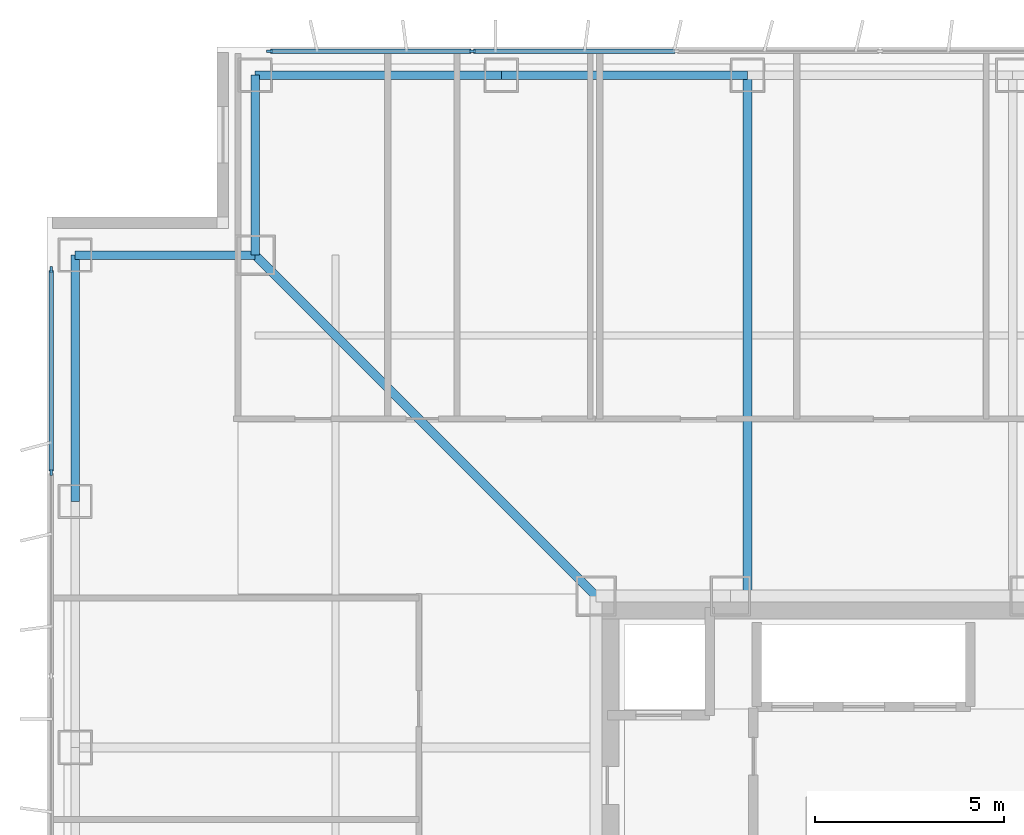
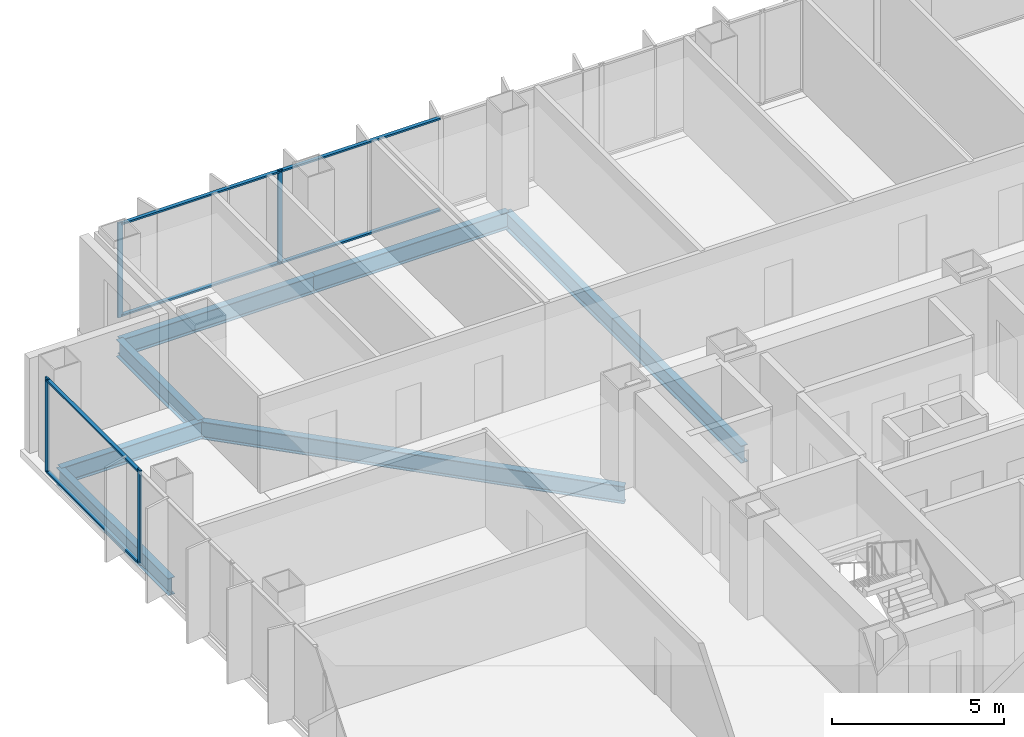
# One storey, part 9 of 18: 10 members, 7 beams, 2 elements without a shape of their own.
"""IFC4 building model written with IfcOpenShell, lengths in metres."""

from ifc_helpers import new_model, si_unit, direction, frame, origin, origin_2d, place, context, subcontext, project, spatial, rectangle, i_section, extrude, material, layer, layer_set, material_profile, profile_set, type_object, element, aggregate, save


model = new_model("IFC4")

# Units and contexts
model_context = context("Model", 3, precision=1e-05, world=origin(), true_north=direction((0.0, 1.0)))
body_context = subcontext(model_context, "Body", "Model", "MODEL_VIEW")
ifc_project = project(units=[si_unit("LENGTHUNIT", "METRE"), si_unit("AREAUNIT", "SQUARE_METRE"), si_unit("VOLUMEUNIT", "CUBIC_METRE"), si_unit("PLANEANGLEUNIT", "RADIAN"), si_unit("MASSUNIT", "GRAM", prefix="KILO")], contexts=[model_context])

# Site, building, storey
site_placement = place(None, origin())
site = spatial("IfcSite", under=ifc_project, at=site_placement, CompositionType="ELEMENT")
building_placement = place(site_placement, origin())
building = spatial("IfcBuilding", under=site, at=building_placement, Name="Trevonay Congress Spire", CompositionType="ELEMENT")
storey_placement = place(building_placement, frame((0.0, 0.0, 148.0)))
storey = spatial("IfcBuildingStorey", under=building, at=storey_placement, Name="L38", CompositionType="ELEMENT", Elevation=148.0)

# Beams
ifc_material_1 = material(Name="Steel ASTM A572 Grade 50", Category="steel")
ifc_material_profile_1 = material_profile(ifc_material_1, i_section(OverallWidth=0.22998046875, OverallDepth=0.616943359375, WebThickness=0.01318359375, FlangeThickness=0.022216796875, FilletRadius=0.01611328125, at=origin_2d()), Name="W610x140")
ifc_profile_set_1 = profile_set([ifc_material_profile_1], Name="Steel ASTM A572 Grade 50")
beam_type_1 = type_object("IfcBeamType", Name="BM-GIRD-W610X140", PredefinedType="BEAM", material=ifc_profile_set_1)
beam_1_placement = place(storey_placement, frame((-7.5, 7.5, -0.548583984375), z_axis=(-0.707106781187, 0.707106781187, 0.0), x_axis=(-0.707106781187, -0.707106781187, 0.0)))
element("IfcBeam", 1, at=beam_1_placement, inside=storey, type_object=beam_type_1, Name="L38 structural beam BM-L38-CDNW", PredefinedType="BEAM", context=body_context, shape_type="SweptSolid", body=[
    extrude(i_section(OverallWidth=0.22998046875, OverallDepth=0.616943359375, WebThickness=0.01318359375, FlangeThickness=0.022216796875, FilletRadius=0.01611328125, at=origin_2d()), origin(), (0.0, 0.0, 1.0), 12.72802734375),
])
beam_2_placement = place(storey_placement, frame((-3.5, 7.5, -0.548583984375), z_axis=(0.0, 1.0, 0.0), x_axis=(-1.0, 0.0, 0.0)))
element("IfcBeam", 2, at=beam_2_placement, inside=storey, type_object=beam_type_1, Name="L38 structural beam BM-L38-GN-M", PredefinedType="BEAM", context=body_context, shape_type="SweptSolid", body=[
    extrude(i_section(OverallWidth=0.22998046875, OverallDepth=0.616943359375, WebThickness=0.01318359375, FlangeThickness=0.022216796875, FilletRadius=0.01611328125, at=origin_2d()), origin(), (0.0, 0.0, 1.0), 13.75),
])
ifc_material_profile_2 = material_profile(ifc_material_1, i_section(OverallWidth=0.22802734375, OverallDepth=0.60791015625, WebThickness=0.01123046875, FlangeThickness=0.017333984375, FilletRadius=0.01611328125, at=origin_2d()), Name="W610x113")
ifc_profile_set_2 = profile_set([ifc_material_profile_2], Name="Steel ASTM A572 Grade 50")
beam_type_2 = type_object("IfcBeamType", Name="BM-RING-W610X113", PredefinedType="BEAM", material=ifc_profile_set_2)
for number, where, z_axis, x_axis, name in (
    (3, (-16.5, 21.25, -0.5439453125), (1.0, 0.0, 0.0), (0.0, 1.0, 0.0), "L38 structural beam BM-L38-PN1"),
    (4, (-10.0, 21.25, -0.5439453125), (1.0, 0.0, 0.0), (0.0, 1.0, 0.0), "L38 structural beam BM-L38-PN2"),
    (5, (-21.25, 10.0, -0.5439453125), (0.0, 1.0, 0.0), (-1.0, 0.0, 0.0), "L38 structural beam BM-L38-PW5"),
):
    element("IfcBeam", number, at=place(storey_placement, frame(where, z_axis=z_axis, x_axis=x_axis)), inside=storey, type_object=beam_type_2, Name=name, PredefinedType="BEAM", context=body_context, shape_type="SweptSolid", body=[
        extrude(i_section(OverallWidth=0.22802734375, OverallDepth=0.60791015625, WebThickness=0.01123046875, FlangeThickness=0.017333984375, FilletRadius=0.01611328125, at=origin_2d()), origin(), (0.0, 0.0, 1.0), 6.5),
    ])
for number, where, z_axis, x_axis, name in (
    (6, (-16.5, 21.25, -0.5439453125), (0.0, -1.0, 0.0), (1.0, 0.0, 0.0), "L38 structural beam BM-L38-N1NW"),
    (7, (-21.25, 16.5, -0.5439453125), (1.0, 0.0, 0.0), (0.0, 1.0, 0.0), "L38 structural beam BM-L38-N2NW"),
):
    element("IfcBeam", number, at=place(storey_placement, frame(where, z_axis=z_axis, x_axis=x_axis)), inside=storey, type_object=beam_type_2, Name=name, PredefinedType="BEAM", context=body_context, shape_type="SweptSolid", body=[
        extrude(i_section(OverallWidth=0.22802734375, OverallDepth=0.60791015625, WebThickness=0.01123046875, FlangeThickness=0.017333984375, FilletRadius=0.01611328125, at=origin_2d()), origin(), (0.0, 0.0, 1.0), 4.75),
    ])

# Curtain wall, members
ifc_material_2 = material(Name="Pale Anodised Aluminium EN AW-6063-T6", Category="aluminium")
ifc_layer = layer(ifc_material_2, 0.175048828125, Name="Pale Anodised Aluminium EN AW-6063-T6")
ifc_layer_set = layer_set([ifc_layer], Name="Pale Anodised Aluminium EN AW-6063-T6")
curtain_wall_type = type_object("IfcCurtainWallType", Name="CW-SYS03-CONGRESS-PALE-METAL", PredefinedType="NOTDEFINED", material=ifc_layer_set)
curtain_wall_1_placement = place(storey_placement, origin())
curtain_wall_1 = element("IfcCurtainWall", 8, at=curtain_wall_1_placement, inside=storey, type_object=curtain_wall_type, Name="L38 N unitised curtain wall", PredefinedType="NOTDEFINED")
ifc_material_profile_3 = material_profile(ifc_material_2, rectangle(XDim=0.06005859375, YDim=0.159912109375, at=origin_2d()), Name="CW-MULLION-160-ALUMINIUM")
ifc_profile_set_3 = profile_set([ifc_material_profile_3], Name="Pale Anodised Aluminium EN AW-6063-T6")
member_type_1 = type_object("IfcMemberType", Name="CW-MULLION-160-ALUMINIUM", PredefinedType="MULLION", material=ifc_profile_set_3)
member_1_placement = place(storey_placement, frame((-16.1201171875, 21.8798828125, 0.0), z_axis=(0.0, 0.0, 1.0), x_axis=(0.0, 1.0, 0.0)))
member_1 = element("IfcMember", 9, at=member_1_placement, type_object=member_type_1, Name="CW03 mullion 1", PredefinedType="MULLION", context=body_context, shape_type="SweptSolid", body=[
    extrude(rectangle(XDim=0.06005859375, YDim=0.159912109375, at=origin_2d()), origin(), (0.0, 0.0, 1.0), 3.360107421875),
])
member_2_placement = place(storey_placement, frame((-10.7666015625, 21.8798828125, 0.0), z_axis=(0.0, 0.0, 1.0), x_axis=(0.0, 1.0, 0.0)))
member_2 = element("IfcMember", 10, at=member_2_placement, type_object=member_type_1, Name="CW03 mullion 2", PredefinedType="MULLION", context=body_context, shape_type="SweptSolid", body=[
    extrude(rectangle(XDim=0.06005859375, YDim=0.159912109375, at=origin_2d()), origin(), (0.0, 0.0, 1.0), 3.360107421875),
])

curtain_wall_2_placement = place(storey_placement, origin())
curtain_wall_2 = element("IfcCurtainWall", 11, at=curtain_wall_2_placement, inside=storey, type_object=curtain_wall_type, Name="L38 W unitised curtain wall", PredefinedType="NOTDEFINED")
member_3_placement = place(storey_placement, frame((-21.8798828125, 10.7666015625, 0.0), z_axis=(0.0, 0.0, 1.0), x_axis=(-1.0, 0.0, 0.0)))
member_3 = element("IfcMember", 12, at=member_3_placement, type_object=member_type_1, Name="CW03 mullion 6", PredefinedType="MULLION", context=body_context, shape_type="SweptSolid", body=[
    extrude(rectangle(XDim=0.06005859375, YDim=0.159912109375, at=origin_2d()), origin(), (0.0, 0.0, 1.0), 3.360107421875),
])
member_4_placement = place(storey_placement, frame((-21.8798828125, 16.1201171875, 0.0), z_axis=(0.0, 0.0, 1.0), x_axis=(-1.0, 0.0, 0.0)))
member_4 = element("IfcMember", 13, at=member_4_placement, type_object=member_type_1, Name="CW03 mullion 7", PredefinedType="MULLION", context=body_context, shape_type="SweptSolid", body=[
    extrude(rectangle(XDim=0.06005859375, YDim=0.159912109375, at=origin_2d()), origin(), (0.0, 0.0, 1.0), 3.360107421875),
])

# Member
ifc_material_profile_4 = material_profile(ifc_material_2, rectangle(XDim=0.1201171875, YDim=0.06005859375, at=origin_2d()), Name="CW-TRANSOM-120-ALUMINIUM")
ifc_profile_set_4 = profile_set([ifc_material_profile_4], Name="Pale Anodised Aluminium EN AW-6063-T6")
member_type_2 = type_object("IfcMemberType", Name="CW-TRANSOM-120-ALUMINIUM", PredefinedType="USERDEFINED", material=ifc_profile_set_4)
member_5_placement = place(storey_placement, frame((-16.090087890625, 21.8798828125, 0.06005859375), z_axis=(1.0, 0.0, 0.0), x_axis=(0.0, 1.0, 0.0)))
member_5 = element("IfcMember", 14, at=member_5_placement, type_object=member_type_2, Name="CW03 transom 1.1", ObjectType="TRANSOM", PredefinedType="USERDEFINED", context=body_context, shape_type="SweptSolid", body=[
    extrude(rectangle(XDim=0.1201171875, YDim=0.06005859375, at=origin_2d()), origin(), (0.0, 0.0, 1.0), 5.29345703125),
])

member_6_placement = place(storey_placement, frame((-16.090087890625, 21.8798828125, 3.300048828125), z_axis=(1.0, 0.0, 0.0), x_axis=(0.0, 1.0, 0.0)))
member_6 = element("IfcMember", 15, at=member_6_placement, type_object=member_type_2, Name="CW03 transom 1.2", ObjectType="TRANSOM", PredefinedType="USERDEFINED", context=body_context, shape_type="SweptSolid", body=[
    extrude(rectangle(XDim=0.1201171875, YDim=0.06005859375, at=origin_2d()), origin(), (0.0, 0.0, 1.0), 5.29345703125),
])

member_7_placement = place(storey_placement, frame((-10.736572265625, 21.8798828125, 0.06005859375), z_axis=(1.0, 0.0, 0.0), x_axis=(0.0, 1.0, 0.0)))
member_7 = element("IfcMember", 16, at=member_7_placement, type_object=member_type_2, Name="CW03 transom 2.1", ObjectType="TRANSOM", PredefinedType="USERDEFINED", context=body_context, shape_type="SweptSolid", body=[
    extrude(rectangle(XDim=0.1201171875, YDim=0.06005859375, at=origin_2d()), origin(), (0.0, 0.0, 1.0), 5.3232421875),
])

member_8_placement = place(storey_placement, frame((-10.736572265625, 21.8798828125, 3.300048828125), z_axis=(1.0, 0.0, 0.0), x_axis=(0.0, 1.0, 0.0)))
member_8 = element("IfcMember", 17, at=member_8_placement, type_object=member_type_2, Name="CW03 transom 2.2", ObjectType="TRANSOM", PredefinedType="USERDEFINED", context=body_context, shape_type="SweptSolid", body=[
    extrude(rectangle(XDim=0.1201171875, YDim=0.06005859375, at=origin_2d()), origin(), (0.0, 0.0, 1.0), 5.3232421875),
])

aggregate(curtain_wall_1, [member_1, member_2, member_5, member_6, member_7, member_8])

member_9_placement = place(storey_placement, frame((-21.8798828125, 10.796630859375, 0.06005859375), z_axis=(0.0, 1.0, 0.0), x_axis=(-1.0, 0.0, 0.0)))
member_9 = element("IfcMember", 18, at=member_9_placement, type_object=member_type_2, Name="CW03 transom 6.1", ObjectType="TRANSOM", PredefinedType="USERDEFINED", context=body_context, shape_type="SweptSolid", body=[
    extrude(rectangle(XDim=0.1201171875, YDim=0.06005859375, at=origin_2d()), origin(), (0.0, 0.0, 1.0), 5.29345703125),
])

member_10_placement = place(storey_placement, frame((-21.8798828125, 10.796630859375, 3.300048828125), z_axis=(0.0, 1.0, 0.0), x_axis=(-1.0, 0.0, 0.0)))
member_10 = element("IfcMember", 19, at=member_10_placement, type_object=member_type_2, Name="CW03 transom 6.2", ObjectType="TRANSOM", PredefinedType="USERDEFINED", context=body_context, shape_type="SweptSolid", body=[
    extrude(rectangle(XDim=0.1201171875, YDim=0.06005859375, at=origin_2d()), origin(), (0.0, 0.0, 1.0), 5.29345703125),
])

aggregate(curtain_wall_2, [member_3, member_4, member_9, member_10])

save(model, "model.ifc")
